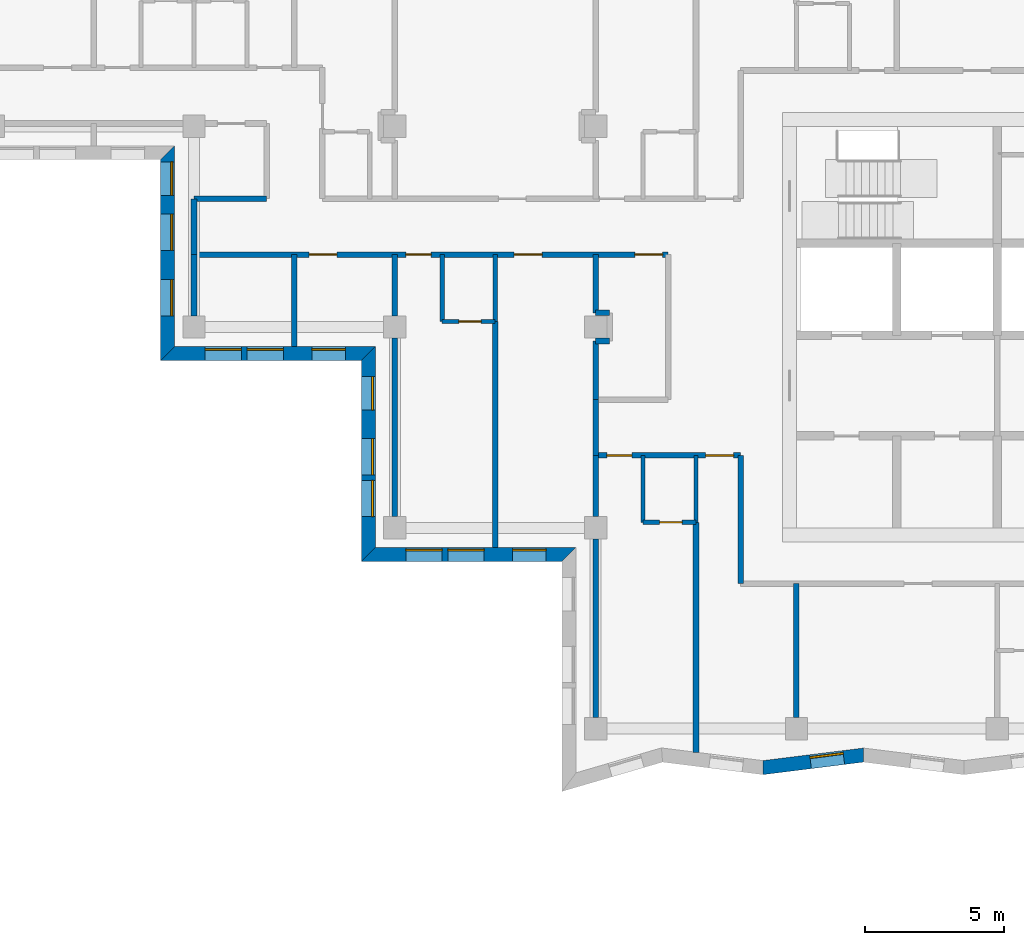
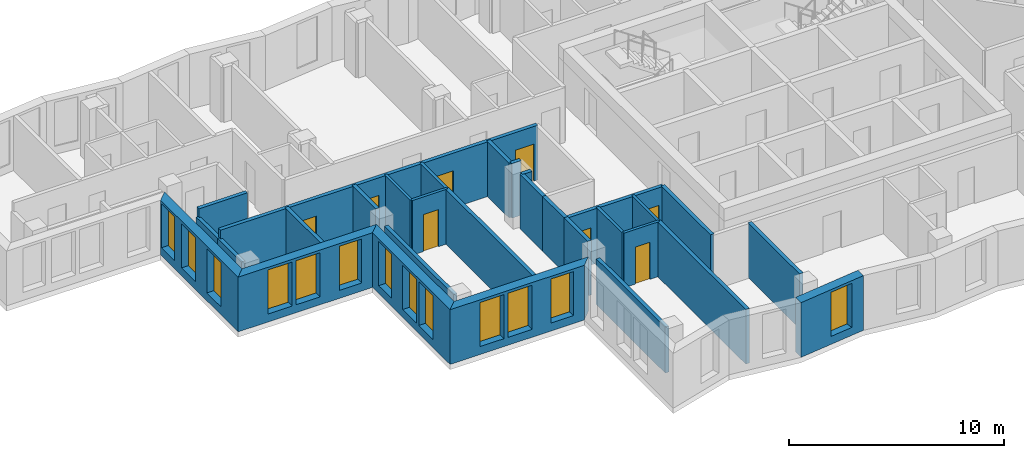
# One storey, part 2 of 12: 30 walls, 13 windows, 8 doors, 21 openings.
"""IFC4 building model written with IfcOpenShell, lengths in metres."""

import ifcopenshell
import ifcopenshell.guid

model = None  # the IFC model being written
_history = None  # IfcOwnerHistory: only IFC2X3 demands one
_inside = {}  # id of a spatial element -> (the spatial element, [elements in it])
_under = {}  # id of a project, library or spatial element -> (it, [spatial elements below it])
_declared = {}  # id of a project -> (the project, [libraries it declares])
_typed = {}  # id of a type object -> (the type object, [elements of that type])
_made_of = {}  # id of a material, layer set ... -> (it, [elements and type objects made of it])


def new_model(schema):
    """Start an empty IFC model of exactly this schema.

    Asked for "IFC4X3", IfcOpenShell would pick the latest addendum, in which some entities
    have other attributes; the version numbers below select the first issue.
    IFC2X3 requires an IfcOwnerHistory on every rooted entity: one is made here for all.
    """
    global model, _history
    if schema == "IFC4X3":
        model = ifcopenshell.file(schema_version=(4, 3, 0, 0))
    else:
        model = ifcopenshell.file(schema=schema)
    _inside.clear()
    _under.clear()
    _declared.clear()
    _typed.clear()
    _made_of.clear()
    _history = None
    if model.schema == "IFC2X3":
        org = make("IfcOrganization", Name="unknown")
        user = make(
            "IfcPersonAndOrganization",
            ThePerson=make("IfcPerson", FamilyName="unknown"),
            TheOrganization=org,
        )
        app = make(
            "IfcApplication",
            ApplicationDeveloper=org,
            Version="unknown",
            ApplicationFullName="unknown",
            ApplicationIdentifier="unknown",
        )
        _history = make(
            "IfcOwnerHistory",
            OwningUser=user,
            OwningApplication=app,
            ChangeAction="ADDED",
            CreationDate=0,
        )
    return model


def make(cls, **values):
    """One entity of the class cls with the attributes given. An attribute that is None is left unset."""
    return model.create_entity(
        cls, **{name: value for name, value in values.items() if value is not None}
    )


def rooted(cls, **values):
    """An entity with a GlobalId (a new one), such as an element, a storey or a relation."""
    return make(cls, GlobalId=ifcopenshell.guid.new(), OwnerHistory=_history, **values)


def si_unit(unit_type, name, prefix=None):
    """IfcSIUnit, for example si_unit("LENGTHUNIT", "METRE", prefix="MILLI")."""
    return make("IfcSIUnit", UnitType=unit_type, Prefix=prefix, Name=name)


def assignment(units):
    """IfcUnitAssignment: the units of a project."""
    return None if units is None else make("IfcUnitAssignment", Units=units)


def point(xyz):
    """IfcCartesianPoint."""
    return None if xyz is None else make("IfcCartesianPoint", Coordinates=xyz)


def direction(xyz):
    """IfcDirection."""
    return None if xyz is None else make("IfcDirection", DirectionRatios=xyz)


def frame(location, z_axis=None, x_axis=None):
    """IfcAxis2Placement3D, a coordinate frame: its origin and axes. An axis left out is left unset."""
    return make(
        "IfcAxis2Placement3D",
        Location=point(location),
        Axis=direction(z_axis),
        RefDirection=direction(x_axis),
    )


def frame_2d(location, x_axis=None):
    """IfcAxis2Placement2D, a coordinate frame in the plane: its origin and x axis."""
    return make(
        "IfcAxis2Placement2D", Location=point(location), RefDirection=direction(x_axis)
    )


def origin():
    """The frame at (0, 0, 0) with its axes left unset."""
    return frame((0.0, 0.0, 0.0))


def place(relative_to, where):
    """IfcLocalPlacement: puts the frame where relative to a parent placement (None: the world)."""
    return make(
        "IfcLocalPlacement", PlacementRelTo=relative_to, RelativePlacement=where
    )


def context(
    kind, dimensions, precision=None, world=None, true_north=None, identifier=None
):
    """IfcGeometricRepresentationContext, for example the 3D "Model" context."""
    return make(
        "IfcGeometricRepresentationContext",
        ContextIdentifier=identifier,
        ContextType=kind,
        CoordinateSpaceDimension=dimensions,
        Precision=precision,
        WorldCoordinateSystem=world,
        TrueNorth=true_north,
    )


def subcontext(parent, identifier, kind, view, scale=None):
    """IfcGeometricRepresentationSubContext, for example "Body" below "Model"."""
    return make(
        "IfcGeometricRepresentationSubContext",
        ContextIdentifier=identifier,
        ContextType=kind,
        ParentContext=parent,
        TargetScale=scale,
        TargetView=view,
    )


def project(units=None, contexts=None):
    """IfcProject with its units and contexts."""
    return rooted(
        "IfcProject",
        Name="project",
        RepresentationContexts=contexts,
        UnitsInContext=assignment(units),
    )


def spatial(cls, under=None, at=None, **own):
    """A site, building, storey or space (cls), placed at a placement, below another one or the project."""
    s = rooted(cls, ObjectPlacement=at, **own)
    if under is not None:
        _under.setdefault(under.id(), (under, []))[1].append(s)
    return s


def polyline(points):
    """IfcPolyline through the points."""
    return make("IfcPolyline", Points=[point(p) for p in points])


def profile(cls, at=None, kind="AREA", **sizes):
    """A parametric profile (cls). Its sizes go by their IFC names, for example OverallWidth=200.0."""
    return make(cls, ProfileType=kind, Position=at, **sizes)


def rectangle(**sizes):
    """IfcRectangleProfileDef."""
    return profile("IfcRectangleProfileDef", **sizes)


def outline(outer, holes=None, kind="AREA"):
    """IfcArbitraryClosedProfileDef: a profile drawn as a closed curve; with holes, ...WithVoids."""
    if holes is None:
        return make("IfcArbitraryClosedProfileDef", ProfileType=kind, OuterCurve=outer)
    return make(
        "IfcArbitraryProfileDefWithVoids",
        ProfileType=kind,
        OuterCurve=outer,
        InnerCurves=holes,
    )


def extrude(swept, where, along, depth):
    """IfcExtrudedAreaSolid: the profile swept, set in the frame where, extruded along a direction by depth."""
    return make(
        "IfcExtrudedAreaSolid",
        SweptArea=swept,
        Position=where,
        ExtrudedDirection=direction(along),
        Depth=depth,
    )


def shape(context_of_items, identifier, shape_type, items):
    """IfcShapeRepresentation: the items that make up one representation, for example the "Body"."""
    return make(
        "IfcShapeRepresentation",
        ContextOfItems=context_of_items,
        RepresentationIdentifier=identifier,
        RepresentationType=shape_type,
        Items=items,
    )


def material(Name=None, Category=None):
    """IfcMaterial."""
    return make("IfcMaterial", Name=Name, Category=Category)


def layer(
    of_material, thickness, ventilated=None, Name=None, Category=None, Priority=None
):
    """IfcMaterialLayer: one layer of a wall or slab, of a material (None: an air gap)."""
    return make(
        "IfcMaterialLayer",
        Material=of_material,
        LayerThickness=thickness,
        IsVentilated=ventilated,
        Name=Name,
        Category=Category,
        Priority=Priority,
    )


def layer_set(layers, Name=None):
    """IfcMaterialLayerSet."""
    return make("IfcMaterialLayerSet", MaterialLayers=layers, LayerSetName=Name)


def made_of(thing, what):
    """Note that an element or type object is made of a material, layer set ...; save() writes the relation."""
    if what is not None:
        _made_of.setdefault(what.id(), (what, []))[1].append(thing)
    return thing


def type_object(cls, material=None, **own):
    """A type object (cls), such as IfcWallType, which elements share."""
    return made_of(rooted(cls, **own), material)


def element(
    cls,
    number,
    at=None,
    inside=None,
    cuts=None,
    type_object=None,
    material=None,
    context=None,
    identifier="Body",
    shape_type=None,
    held_by="IfcProductDefinitionShape",
    body=None,
    shapes=None,
    **own,
):
    """One element of the class cls, such as IfcWall. Its Tag is "e" and its number.

    at: its placement. inside: the storey or other place that contains it. cuts: it is an
    opening in that element (IfcRelVoidsElement). A single representation is given by context,
    identifier, shape_type and body (its items); several are given by shapes. held_by: the class
    of the entity that holds the representations. save() writes the other relations.
    """
    e = rooted(cls, Tag="e%d" % number, ObjectPlacement=at, **own)
    if body is not None:
        shapes = [shape(context, identifier, shape_type, body)]
    if shapes is not None:
        e.Representation = make(held_by, Representations=shapes)
    if inside is not None:
        _inside.setdefault(inside.id(), (inside, []))[1].append(e)
    if cuts is not None:
        rooted(
            "IfcRelVoidsElement", RelatingBuildingElement=cuts, RelatedOpeningElement=e
        )
    if type_object is not None:
        _typed.setdefault(type_object.id(), (type_object, []))[1].append(e)
    return made_of(e, material)


def fill(opening, filler):
    """IfcRelFillsElement: the door or window that sits in an opening."""
    return rooted(
        "IfcRelFillsElement",
        RelatingOpeningElement=opening,
        RelatedBuildingElement=filler,
    )


def aggregate(whole, parts):
    """IfcRelAggregates: a whole, such as a stair, and the parts it consists of."""
    return rooted("IfcRelAggregates", RelatingObject=whole, RelatedObjects=parts)


def save(model, path):
    """Write the relations noted so far, then the file.

    IfcRelAggregates (storeys below a building ...), IfcRelContainedInSpatialStructure (elements
    in a storey), IfcRelDefinesByType, IfcRelAssociatesMaterial and IfcRelDeclares: one each for
    every whole, place, type object, material and project.
    """
    for whole, parts in _under.values():
        aggregate(whole, parts)
    for where, things in _inside.values():
        rooted(
            "IfcRelContainedInSpatialStructure",
            RelatedElements=things,
            RelatingStructure=where,
        )
    for kind, things in _typed.values():
        rooted("IfcRelDefinesByType", RelatedObjects=things, RelatingType=kind)
    for what, things in _made_of.values():
        rooted("IfcRelAssociatesMaterial", RelatedObjects=things, RelatingMaterial=what)
    for by, libraries in _declared.values():
        rooted("IfcRelDeclares", RelatingContext=by, RelatedDefinitions=libraries)
    model.write(path)


model = new_model("IFC4")

# Units and contexts
model_context = context("Model", 3, precision=1e-05, world=origin(), true_north=direction((0.0, 1.0)))
body_context = subcontext(model_context, "Body", "Model", "MODEL_VIEW")
ifc_project = project(units=[si_unit("LENGTHUNIT", "METRE"), si_unit("AREAUNIT", "SQUARE_METRE"), si_unit("VOLUMEUNIT", "CUBIC_METRE"), si_unit("PLANEANGLEUNIT", "RADIAN"), si_unit("MASSUNIT", "GRAM", prefix="KILO")], contexts=[model_context])

# Site, building, storey
site_placement = place(None, origin())
site = spatial("IfcSite", under=ifc_project, at=site_placement, CompositionType="ELEMENT")
building_placement = place(site_placement, origin())
building = spatial("IfcBuilding", under=site, at=building_placement, Name="Windrow Commons", CompositionType="ELEMENT")
storey_placement = place(building_placement, frame((0.0, 0.0, 206.6)))
storey = spatial("IfcBuildingStorey", under=building, at=storey_placement, Name="L56", CompositionType="ELEMENT", Elevation=206.6)

# Wall, openings, windows
ifc_material_1 = material(Name="Brick masonry, red clay brick", Category="masonry")
ifc_layer_1 = layer(ifc_material_1, 0.5)
ifc_layer_set_1 = layer_set([ifc_layer_1], Name="Brick facade wall 500")
wall_type_1 = type_object("IfcWallType", Name="Brick facade wall 500", PredefinedType="SOLIDWALL", material=ifc_layer_set_1)
wall_1_placement = place(storey_placement, frame((35.05, 63.85, 0.0), z_axis=(0.0, 0.0, 1.0), x_axis=(0.0, -1.0, 0.0)))
wall_1 = element("IfcWall", 1, at=wall_1_placement, inside=storey, type_object=wall_type_1, Name="Brick facade wall L56 33", PredefinedType="SOLIDWALL", context=body_context, shape_type="SweptSolid", body=[
    extrude(outline(polyline([(0.25, -0.25), (7.45, -0.25), (6.95, 0.25), (-0.25, 0.25), (0.25, -0.25)])), origin(), (0.0, 0.0, 1.0), 3.1),
])
opening_1_placement = place(wall_1_placement, frame((2.2, 0.0, 0.45)))
opening_1 = element("IfcOpeningElement", 2, at=opening_1_placement, cuts=wall_1, Name="Opening W1Q", PredefinedType="OPENING", context=body_context, shape_type="SweptSolid", body=[
    extrude(rectangle(XDim=1.3, YDim=2.5, at=frame_2d((0.65, 1.25))), frame((0.0, 0.26, 0.0), z_axis=(0.0, -1.0, 0.0), x_axis=(1.0, 0.0, 0.0)), (0.0, 0.0, 1.0), 0.52),
])
opening_2_placement = place(wall_1_placement, frame((4.55, 0.0, 0.45)))
opening_2 = element("IfcOpeningElement", 3, at=opening_2_placement, cuts=wall_1, Name="Opening W1Q", PredefinedType="OPENING", context=body_context, shape_type="SweptSolid", body=[
    extrude(rectangle(XDim=1.3, YDim=2.5, at=frame_2d((0.65, 1.25))), frame((0.0, 0.26, 0.0), z_axis=(0.0, -1.0, 0.0), x_axis=(1.0, 0.0, 0.0)), (0.0, 0.0, 1.0), 0.52),
])
opening_3_placement = place(wall_1_placement, frame((0.325, 0.0, 0.45)))
opening_3 = element("IfcOpeningElement", 4, at=opening_3_placement, cuts=wall_1, Name="Opening W7E", PredefinedType="OPENING", context=body_context, shape_type="SweptSolid", body=[
    extrude(rectangle(XDim=1.2, YDim=2.5, at=frame_2d((0.6, 1.25))), frame((0.0, 0.26, 0.0), z_axis=(0.0, -1.0, 0.0), x_axis=(1.0, 0.0, 0.0)), (0.0, 0.0, 1.0), 0.52),
])
ifc_material_2 = material(Name="Clear float glass in anodised aluminium frame", Category="aluminium")
window_type_1 = type_object("IfcWindowType", Name="Window W1Q pair 1300x2500", PartitioningType="SINGLE_PANEL", PredefinedType="WINDOW", material=ifc_material_2)
window_1_placement = place(opening_1_placement, origin())
window_1 = element("IfcWindow", 5, at=window_1_placement, inside=storey, type_object=window_type_1, Name="Window L56 33.1A", OverallHeight=2.5, OverallWidth=1.3, PartitioningType="SINGLE_PANEL", PredefinedType="WINDOW", context=body_context, shape_type="SweptSolid", body=[
    extrude(rectangle(XDim=1.3, YDim=2.5, at=frame_2d((0.65, 1.25))), frame((0.0, 0.18, 0.0), z_axis=(0.0, -1.0, 0.0), x_axis=(1.0, 0.0, 0.0)), (0.0, 0.0, 1.0), 0.06),
])
fill(opening_1, window_1)
window_2_placement = place(opening_2_placement, origin())
window_2 = element("IfcWindow", 6, at=window_2_placement, inside=storey, type_object=window_type_1, Name="Window L56 33.1B", OverallHeight=2.5, OverallWidth=1.3, PartitioningType="SINGLE_PANEL", PredefinedType="WINDOW", context=body_context, shape_type="SweptSolid", body=[
    extrude(rectangle(XDim=1.3, YDim=2.5, at=frame_2d((0.65, 1.25))), frame((0.0, 0.18, 0.0), z_axis=(0.0, -1.0, 0.0), x_axis=(1.0, 0.0, 0.0)), (0.0, 0.0, 1.0), 0.06),
])
fill(opening_2, window_2)
ifc_material_3 = material(Name="Clear float glass in anodised aluminium frame", Category="aluminium")
window_type_2 = type_object("IfcWindowType", Name="Window W7 notch 1200x2500", PartitioningType="SINGLE_PANEL", PredefinedType="WINDOW", material=ifc_material_3)
window_3_placement = place(opening_3_placement, origin())
window_3 = element("IfcWindow", 7, at=window_3_placement, inside=storey, type_object=window_type_2, Name="Window L56 33.2", OverallHeight=2.5, OverallWidth=1.2, PartitioningType="SINGLE_PANEL", PredefinedType="WINDOW", context=body_context, shape_type="SweptSolid", body=[
    extrude(rectangle(XDim=1.2, YDim=2.5, at=frame_2d((0.6, 1.25))), frame((0.0, 0.18, 0.0), z_axis=(0.0, -1.0, 0.0), x_axis=(1.0, 0.0, 0.0)), (0.0, 0.0, 1.0), 0.06),
])
fill(opening_3, window_3)

wall_2_placement = place(storey_placement, frame((35.05, 56.65, 0.0), z_axis=(0.0, 0.0, 1.0), x_axis=(1.0, 0.0, 0.0)))
wall_2 = element("IfcWall", 8, at=wall_2_placement, inside=storey, type_object=wall_type_1, Name="Brick facade wall L56 34", PredefinedType="SOLIDWALL", context=body_context, shape_type="SweptSolid", body=[
    extrude(outline(polyline([(-0.25, -0.25), (6.95, -0.25), (7.45, 0.25), (0.25, 0.25), (-0.25, -0.25)])), origin(), (0.0, 0.0, 1.0), 3.1),
])
opening_4_placement = place(wall_2_placement, frame((1.35, 0.0, 0.45)))
opening_4 = element("IfcOpeningElement", 9, at=opening_4_placement, cuts=wall_2, Name="Opening W1Q", PredefinedType="OPENING", context=body_context, shape_type="SweptSolid", body=[
    extrude(rectangle(XDim=1.3, YDim=2.5, at=frame_2d((0.65, 1.25))), frame((0.0, 0.26, 0.0), z_axis=(0.0, -1.0, 0.0), x_axis=(1.0, 0.0, 0.0)), (0.0, 0.0, 1.0), 0.52),
])
opening_5_placement = place(wall_2_placement, frame((2.85, 0.0, 0.45)))
opening_5 = element("IfcOpeningElement", 10, at=opening_5_placement, cuts=wall_2, Name="Opening W1Q", PredefinedType="OPENING", context=body_context, shape_type="SweptSolid", body=[
    extrude(rectangle(XDim=1.3, YDim=2.5, at=frame_2d((0.65, 1.25))), frame((0.0, 0.26, 0.0), z_axis=(0.0, -1.0, 0.0), x_axis=(1.0, 0.0, 0.0)), (0.0, 0.0, 1.0), 0.52),
])
opening_6_placement = place(wall_2_placement, frame((5.175, 0.0, 0.45)))
opening_6 = element("IfcOpeningElement", 11, at=opening_6_placement, cuts=wall_2, Name="Opening W7E", PredefinedType="OPENING", context=body_context, shape_type="SweptSolid", body=[
    extrude(rectangle(XDim=1.2, YDim=2.5, at=frame_2d((0.6, 1.25))), frame((0.0, 0.26, 0.0), z_axis=(0.0, -1.0, 0.0), x_axis=(1.0, 0.0, 0.0)), (0.0, 0.0, 1.0), 0.52),
])
window_4_placement = place(opening_4_placement, origin())
window_4 = element("IfcWindow", 12, at=window_4_placement, inside=storey, type_object=window_type_1, Name="Window L56 34.1A", OverallHeight=2.5, OverallWidth=1.3, PartitioningType="SINGLE_PANEL", PredefinedType="WINDOW", context=body_context, shape_type="SweptSolid", body=[
    extrude(rectangle(XDim=1.3, YDim=2.5, at=frame_2d((0.65, 1.25))), frame((0.0, 0.18, 0.0), z_axis=(0.0, -1.0, 0.0), x_axis=(1.0, 0.0, 0.0)), (0.0, 0.0, 1.0), 0.06),
])
fill(opening_4, window_4)
window_5_placement = place(opening_5_placement, origin())
window_5 = element("IfcWindow", 13, at=window_5_placement, inside=storey, type_object=window_type_1, Name="Window L56 34.1B", OverallHeight=2.5, OverallWidth=1.3, PartitioningType="SINGLE_PANEL", PredefinedType="WINDOW", context=body_context, shape_type="SweptSolid", body=[
    extrude(rectangle(XDim=1.3, YDim=2.5, at=frame_2d((0.65, 1.25))), frame((0.0, 0.18, 0.0), z_axis=(0.0, -1.0, 0.0), x_axis=(1.0, 0.0, 0.0)), (0.0, 0.0, 1.0), 0.06),
])
fill(opening_5, window_5)
window_6_placement = place(opening_6_placement, origin())
window_6 = element("IfcWindow", 14, at=window_6_placement, inside=storey, type_object=window_type_2, Name="Window L56 34.2", OverallHeight=2.5, OverallWidth=1.2, PartitioningType="SINGLE_PANEL", PredefinedType="WINDOW", context=body_context, shape_type="SweptSolid", body=[
    extrude(rectangle(XDim=1.2, YDim=2.5, at=frame_2d((0.6, 1.25))), frame((0.0, 0.18, 0.0), z_axis=(0.0, -1.0, 0.0), x_axis=(1.0, 0.0, 0.0)), (0.0, 0.0, 1.0), 0.06),
])
fill(opening_6, window_6)

wall_3_placement = place(storey_placement, frame((42.25, 56.65, 0.0), z_axis=(0.0, 0.0, 1.0), x_axis=(0.0, -1.0, 0.0)))
wall_3 = element("IfcWall", 15, at=wall_3_placement, inside=storey, type_object=wall_type_1, Name="Brick facade wall L56 35", PredefinedType="SOLIDWALL", context=body_context, shape_type="SweptSolid", body=[
    extrude(outline(polyline([(0.25, -0.25), (7.45, -0.25), (6.95, 0.25), (-0.25, 0.25), (0.25, -0.25)])), origin(), (0.0, 0.0, 1.0), 3.1),
])
opening_7_placement = place(wall_3_placement, frame((3.05, 0.0, 0.45)))
opening_7 = element("IfcOpeningElement", 16, at=opening_7_placement, cuts=wall_3, Name="Opening W1Q", PredefinedType="OPENING", context=body_context, shape_type="SweptSolid", body=[
    extrude(rectangle(XDim=1.3, YDim=2.5, at=frame_2d((0.65, 1.25))), frame((0.0, 0.26, 0.0), z_axis=(0.0, -1.0, 0.0), x_axis=(1.0, 0.0, 0.0)), (0.0, 0.0, 1.0), 0.52),
])
opening_8_placement = place(wall_3_placement, frame((4.55, 0.0, 0.45)))
opening_8 = element("IfcOpeningElement", 17, at=opening_8_placement, cuts=wall_3, Name="Opening W1Q", PredefinedType="OPENING", context=body_context, shape_type="SweptSolid", body=[
    extrude(rectangle(XDim=1.3, YDim=2.5, at=frame_2d((0.65, 1.25))), frame((0.0, 0.26, 0.0), z_axis=(0.0, -1.0, 0.0), x_axis=(1.0, 0.0, 0.0)), (0.0, 0.0, 1.0), 0.52),
])
opening_9_placement = place(wall_3_placement, frame((0.825, 0.0, 0.45)))
opening_9 = element("IfcOpeningElement", 18, at=opening_9_placement, cuts=wall_3, Name="Opening W7E", PredefinedType="OPENING", context=body_context, shape_type="SweptSolid", body=[
    extrude(rectangle(XDim=1.2, YDim=2.5, at=frame_2d((0.6, 1.25))), frame((0.0, 0.26, 0.0), z_axis=(0.0, -1.0, 0.0), x_axis=(1.0, 0.0, 0.0)), (0.0, 0.0, 1.0), 0.52),
])
window_7_placement = place(opening_7_placement, origin())
window_7 = element("IfcWindow", 19, at=window_7_placement, inside=storey, type_object=window_type_1, Name="Window L56 35.1A", OverallHeight=2.5, OverallWidth=1.3, PartitioningType="SINGLE_PANEL", PredefinedType="WINDOW", context=body_context, shape_type="SweptSolid", body=[
    extrude(rectangle(XDim=1.3, YDim=2.5, at=frame_2d((0.65, 1.25))), frame((0.0, 0.18, 0.0), z_axis=(0.0, -1.0, 0.0), x_axis=(1.0, 0.0, 0.0)), (0.0, 0.0, 1.0), 0.06),
])
fill(opening_7, window_7)
window_8_placement = place(opening_8_placement, origin())
window_8 = element("IfcWindow", 20, at=window_8_placement, inside=storey, type_object=window_type_1, Name="Window L56 35.1B", OverallHeight=2.5, OverallWidth=1.3, PartitioningType="SINGLE_PANEL", PredefinedType="WINDOW", context=body_context, shape_type="SweptSolid", body=[
    extrude(rectangle(XDim=1.3, YDim=2.5, at=frame_2d((0.65, 1.25))), frame((0.0, 0.18, 0.0), z_axis=(0.0, -1.0, 0.0), x_axis=(1.0, 0.0, 0.0)), (0.0, 0.0, 1.0), 0.06),
])
fill(opening_8, window_8)
window_9_placement = place(opening_9_placement, origin())
window_9 = element("IfcWindow", 21, at=window_9_placement, inside=storey, type_object=window_type_2, Name="Window L56 35.2", OverallHeight=2.5, OverallWidth=1.2, PartitioningType="SINGLE_PANEL", PredefinedType="WINDOW", context=body_context, shape_type="SweptSolid", body=[
    extrude(rectangle(XDim=1.2, YDim=2.5, at=frame_2d((0.6, 1.25))), frame((0.0, 0.18, 0.0), z_axis=(0.0, -1.0, 0.0), x_axis=(1.0, 0.0, 0.0)), (0.0, 0.0, 1.0), 0.06),
])
fill(opening_9, window_9)

wall_4_placement = place(storey_placement, frame((42.25, 49.45, 0.0), z_axis=(0.0, 0.0, 1.0), x_axis=(1.0, 0.0, 0.0)))
wall_4 = element("IfcWall", 22, at=wall_4_placement, inside=storey, type_object=wall_type_1, Name="Brick facade wall L56 36", PredefinedType="SOLIDWALL", context=body_context, shape_type="SweptSolid", body=[
    extrude(outline(polyline([(-0.25, -0.25), (6.95, -0.25), (7.45, 0.25), (0.25, 0.25), (-0.25, -0.25)])), origin(), (0.0, 0.0, 1.0), 3.1),
])
opening_10_placement = place(wall_4_placement, frame((1.35, 0.0, 0.45)))
opening_10 = element("IfcOpeningElement", 23, at=opening_10_placement, cuts=wall_4, Name="Opening W1Q", PredefinedType="OPENING", context=body_context, shape_type="SweptSolid", body=[
    extrude(rectangle(XDim=1.3, YDim=2.5, at=frame_2d((0.65, 1.25))), frame((0.0, 0.26, 0.0), z_axis=(0.0, -1.0, 0.0), x_axis=(1.0, 0.0, 0.0)), (0.0, 0.0, 1.0), 0.52),
])
opening_11_placement = place(wall_4_placement, frame((2.85, 0.0, 0.45)))
opening_11 = element("IfcOpeningElement", 24, at=opening_11_placement, cuts=wall_4, Name="Opening W1Q", PredefinedType="OPENING", context=body_context, shape_type="SweptSolid", body=[
    extrude(rectangle(XDim=1.3, YDim=2.5, at=frame_2d((0.65, 1.25))), frame((0.0, 0.26, 0.0), z_axis=(0.0, -1.0, 0.0), x_axis=(1.0, 0.0, 0.0)), (0.0, 0.0, 1.0), 0.52),
])
opening_12_placement = place(wall_4_placement, frame((5.175, 0.0, 0.45)))
opening_12 = element("IfcOpeningElement", 25, at=opening_12_placement, cuts=wall_4, Name="Opening W7E", PredefinedType="OPENING", context=body_context, shape_type="SweptSolid", body=[
    extrude(rectangle(XDim=1.2, YDim=2.5, at=frame_2d((0.6, 1.25))), frame((0.0, 0.26, 0.0), z_axis=(0.0, -1.0, 0.0), x_axis=(1.0, 0.0, 0.0)), (0.0, 0.0, 1.0), 0.52),
])
window_10_placement = place(opening_10_placement, origin())
window_10 = element("IfcWindow", 26, at=window_10_placement, inside=storey, type_object=window_type_1, Name="Window L56 36.1A", OverallHeight=2.5, OverallWidth=1.3, PartitioningType="SINGLE_PANEL", PredefinedType="WINDOW", context=body_context, shape_type="SweptSolid", body=[
    extrude(rectangle(XDim=1.3, YDim=2.5, at=frame_2d((0.65, 1.25))), frame((0.0, 0.18, 0.0), z_axis=(0.0, -1.0, 0.0), x_axis=(1.0, 0.0, 0.0)), (0.0, 0.0, 1.0), 0.06),
])
fill(opening_10, window_10)
window_11_placement = place(opening_11_placement, origin())
window_11 = element("IfcWindow", 27, at=window_11_placement, inside=storey, type_object=window_type_1, Name="Window L56 36.1B", OverallHeight=2.5, OverallWidth=1.3, PartitioningType="SINGLE_PANEL", PredefinedType="WINDOW", context=body_context, shape_type="SweptSolid", body=[
    extrude(rectangle(XDim=1.3, YDim=2.5, at=frame_2d((0.65, 1.25))), frame((0.0, 0.18, 0.0), z_axis=(0.0, -1.0, 0.0), x_axis=(1.0, 0.0, 0.0)), (0.0, 0.0, 1.0), 0.06),
])
fill(opening_11, window_11)
window_12_placement = place(opening_12_placement, origin())
window_12 = element("IfcWindow", 28, at=window_12_placement, inside=storey, type_object=window_type_2, Name="Window L56 36.2", OverallHeight=2.5, OverallWidth=1.2, PartitioningType="SINGLE_PANEL", PredefinedType="WINDOW", context=body_context, shape_type="SweptSolid", body=[
    extrude(rectangle(XDim=1.2, YDim=2.5, at=frame_2d((0.6, 1.25))), frame((0.0, 0.18, 0.0), z_axis=(0.0, -1.0, 0.0), x_axis=(1.0, 0.0, 0.0)), (0.0, 0.0, 1.0), 0.06),
])
fill(opening_12, window_12)

# Wall, opening, window
wall_5_placement = place(storey_placement, frame((56.4017, 41.801, 0.0), z_axis=(0.0, 0.0, 1.0), x_axis=(0.9922477484, 0.124275524, 0.0)))
wall_5 = element("IfcWall", 29, at=wall_5_placement, inside=storey, type_object=wall_type_1, Name="Brick facade wall L56 40", PredefinedType="SOLIDWALL", context=body_context, shape_type="SweptSolid", body=[
    extrude(outline(polyline([(-0.0313, -0.25), (3.5977, -0.25), (3.6603, 0.25), (0.0313, 0.25), (-0.0313, -0.25)])), origin(), (0.0, 0.0, 1.0), 3.1),
])
opening_13_placement = place(wall_5_placement, frame((1.7183, 0.0, 0.45)))
opening_13 = element("IfcOpeningElement", 30, at=opening_13_placement, cuts=wall_5, Name="Opening W7E", PredefinedType="OPENING", context=body_context, shape_type="SweptSolid", body=[
    extrude(rectangle(XDim=1.2, YDim=2.5, at=frame_2d((0.6, 1.25))), frame((0.0, 0.26, 0.0), z_axis=(0.0, -1.0, 0.0), x_axis=(1.0, 0.0, 0.0)), (0.0, 0.0, 1.0), 0.52),
])
window_13_placement = place(opening_13_placement, origin())
window_13 = element("IfcWindow", 31, at=window_13_placement, inside=storey, type_object=window_type_2, Name="Window L56 40.1", OverallHeight=2.5, OverallWidth=1.2, PartitioningType="SINGLE_PANEL", PredefinedType="WINDOW", context=body_context, shape_type="SweptSolid", body=[
    extrude(rectangle(XDim=1.2, YDim=2.5, at=frame_2d((0.6, 1.25))), frame((0.0, 0.18, 0.0), z_axis=(0.0, -1.0, 0.0), x_axis=(1.0, 0.0, 0.0)), (0.0, 0.0, 1.0), 0.06),
])
fill(opening_13, window_13)

# Wall, openings, doors
ifc_material_4 = material(Name="Blockwork partition", Category="masonry")
ifc_layer_2 = layer(ifc_material_4, 0.2)
ifc_layer_set_2 = layer_set([ifc_layer_2], Name="IW-CORRIDOR-200")
wall_type_2 = type_object("IfcWallType", Name="IW-CORRIDOR-200", PredefinedType="PARTITIONING", material=ifc_layer_set_2)
wall_6_placement = place(storey_placement, frame((36.0, 60.2, 0.0), z_axis=(0.0, 0.0, 1.0), x_axis=(1.0, 0.0, 0.0)))
wall_6 = element("IfcWall", 32, at=wall_6_placement, inside=storey, type_object=wall_type_2, Name="W-L56-W002", PredefinedType="PARTITIONING", context=body_context, shape_type="SweptSolid", body=[
    extrude(rectangle(XDim=17.0, YDim=0.2, at=frame_2d((8.5, 0.0))), origin(), (0.0, 0.0, 1.0), 3.1),
])
opening_14_placement = place(wall_6_placement, frame((4.125, 0.0, 0.0)))
opening_14 = element("IfcOpeningElement", 33, at=opening_14_placement, cuts=wall_6, Name="Opening D310F", PredefinedType="OPENING", context=body_context, shape_type="SweptSolid", body=[
    extrude(rectangle(XDim=1.0, YDim=2.1, at=frame_2d((0.5, 1.05))), frame((0.0, 0.11, 0.0), z_axis=(0.0, -1.0, 0.0), x_axis=(1.0, 0.0, 0.0)), (0.0, 0.0, 1.0), 0.22),
])
opening_15_placement = place(wall_6_placement, frame((7.6, 0.0, 0.0)))
opening_15 = element("IfcOpeningElement", 34, at=opening_15_placement, cuts=wall_6, Name="Opening D109S", PredefinedType="OPENING", context=body_context, shape_type="SweptSolid", body=[
    extrude(rectangle(XDim=0.9, YDim=2.1, at=frame_2d((0.45, 1.05))), frame((0.0, 0.11, 0.0), z_axis=(0.0, -1.0, 0.0), x_axis=(1.0, 0.0, 0.0)), (0.0, 0.0, 1.0), 0.22),
])
opening_16_placement = place(wall_6_placement, frame((11.48, 0.0, 0.0)))
opening_16 = element("IfcOpeningElement", 35, at=opening_16_placement, cuts=wall_6, Name="Opening D310F", PredefinedType="OPENING", context=body_context, shape_type="SweptSolid", body=[
    extrude(rectangle(XDim=1.0, YDim=2.1, at=frame_2d((0.5, 1.05))), frame((0.0, 0.11, 0.0), z_axis=(0.0, -1.0, 0.0), x_axis=(1.0, 0.0, 0.0)), (0.0, 0.0, 1.0), 0.22),
])
opening_17_placement = place(wall_6_placement, frame((15.805, 0.0, 0.0)))
opening_17 = element("IfcOpeningElement", 36, at=opening_17_placement, cuts=wall_6, Name="Opening D410F", PredefinedType="OPENING", context=body_context, shape_type="SweptSolid", body=[
    extrude(rectangle(XDim=1.0, YDim=2.1, at=frame_2d((0.5, 1.05))), frame((0.0, 0.11, 0.0), z_axis=(0.0, -1.0, 0.0), x_axis=(1.0, 0.0, 0.0)), (0.0, 0.0, 1.0), 0.22),
])
ifc_material_5 = material(Name="Timber door leaf", Category="wood")
door_type_1 = type_object("IfcDoorType", Name="DT-AMENITY-1000", OperationType="SINGLE_SWING_LEFT", PredefinedType="DOOR", material=ifc_material_5)
door_1_placement = place(opening_14_placement, origin())
door_1 = element("IfcDoor", 37, at=door_1_placement, inside=storey, type_object=door_type_1, Name="D-L56-D013", OperationType="SINGLE_SWING_RIGHT", OverallHeight=2.1, OverallWidth=1.0, PredefinedType="DOOR", context=body_context, shape_type="SweptSolid", body=[
    extrude(rectangle(XDim=1.0, YDim=2.1, at=frame_2d((0.5, 1.05))), frame((0.0, 0.025, 0.0), z_axis=(0.0, -1.0, 0.0), x_axis=(1.0, 0.0, 0.0)), (0.0, 0.0, 1.0), 0.05),
])
fill(opening_14, door_1)
door_2_placement = place(opening_16_placement, origin())
door_2 = element("IfcDoor", 38, at=door_2_placement, inside=storey, type_object=door_type_1, Name="D-L56-D025", OperationType="SINGLE_SWING_RIGHT", OverallHeight=2.1, OverallWidth=1.0, PredefinedType="DOOR", context=body_context, shape_type="SweptSolid", body=[
    extrude(rectangle(XDim=1.0, YDim=2.1, at=frame_2d((0.5, 1.05))), frame((0.0, 0.025, 0.0), z_axis=(0.0, -1.0, 0.0), x_axis=(1.0, 0.0, 0.0)), (0.0, 0.0, 1.0), 0.05),
])
fill(opening_16, door_2)
ifc_material_6 = material(Name="Timber door leaf", Category="wood")
door_type_2 = type_object("IfcDoorType", Name="DT-BEDROOM-900", OperationType="SINGLE_SWING_LEFT", PredefinedType="DOOR", material=ifc_material_6)
door_3_placement = place(opening_15_placement, origin())
door_3 = element("IfcDoor", 39, at=door_3_placement, inside=storey, type_object=door_type_2, Name="D-L56-D014", OperationType="SINGLE_SWING_LEFT", OverallHeight=2.1, OverallWidth=0.9, PredefinedType="DOOR", context=body_context, shape_type="SweptSolid", body=[
    extrude(rectangle(XDim=0.9, YDim=2.1, at=frame_2d((0.45, 1.05))), frame((0.0, 0.025, 0.0), z_axis=(0.0, -1.0, 0.0), x_axis=(1.0, 0.0, 0.0)), (0.0, 0.0, 1.0), 0.05),
])
fill(opening_15, door_3)
ifc_material_7 = material(Name="Timber door leaf", Category="wood")
door_type_3 = type_object("IfcDoorType", Name="DT-SERVICE-1000", OperationType="SINGLE_SWING_LEFT", PredefinedType="DOOR", material=ifc_material_7)
door_4_placement = place(opening_17_placement, origin())
door_4 = element("IfcDoor", 40, at=door_4_placement, inside=storey, type_object=door_type_3, Name="D-L56-D026", OperationType="SINGLE_SWING_LEFT", OverallHeight=2.1, OverallWidth=1.0, PredefinedType="DOOR", context=body_context, shape_type="SweptSolid", body=[
    extrude(rectangle(XDim=1.0, YDim=2.1, at=frame_2d((0.5, 1.05))), frame((0.0, 0.025, 0.0), z_axis=(0.0, -1.0, 0.0), x_axis=(1.0, 0.0, 0.0)), (0.0, 0.0, 1.0), 0.05),
])
fill(opening_17, door_4)

wall_7_placement = place(storey_placement, frame((50.4, 53.0, 0.0), z_axis=(0.0, 0.0, 1.0), x_axis=(1.0, 0.0, 0.0)))
wall_7 = element("IfcWall", 41, at=wall_7_placement, inside=storey, type_object=wall_type_2, Name="W-L56-W032", PredefinedType="PARTITIONING", context=body_context, shape_type="SweptSolid", body=[
    extrude(rectangle(XDim=5.2, YDim=0.2, at=frame_2d((2.6, 0.0))), origin(), (0.0, 0.0, 1.0), 3.1),
])
opening_18_placement = place(wall_7_placement, frame((0.4, 0.0, 0.0)))
opening_18 = element("IfcOpeningElement", 42, at=opening_18_placement, cuts=wall_7, Name="Opening D109S", PredefinedType="OPENING", context=body_context, shape_type="SweptSolid", body=[
    extrude(rectangle(XDim=0.9, YDim=2.1, at=frame_2d((0.45, 1.05))), frame((0.0, 0.11, 0.0), z_axis=(0.0, -1.0, 0.0), x_axis=(1.0, 0.0, 0.0)), (0.0, 0.0, 1.0), 0.22),
])
opening_19_placement = place(wall_7_placement, frame((3.9455, 0.0, 0.0)))
opening_19 = element("IfcOpeningElement", 43, at=opening_19_placement, cuts=wall_7, Name="Opening D310F", PredefinedType="OPENING", context=body_context, shape_type="SweptSolid", body=[
    extrude(rectangle(XDim=1.0, YDim=2.1, at=frame_2d((0.5, 1.05))), frame((0.0, 0.11, 0.0), z_axis=(0.0, -1.0, 0.0), x_axis=(1.0, 0.0, 0.0)), (0.0, 0.0, 1.0), 0.22),
])
door_5_placement = place(opening_19_placement, origin())
door_5 = element("IfcDoor", 44, at=door_5_placement, inside=storey, type_object=door_type_1, Name="D-L56-D029", OperationType="SINGLE_SWING_RIGHT", OverallHeight=2.1, OverallWidth=1.0, PredefinedType="DOOR", context=body_context, shape_type="SweptSolid", body=[
    extrude(rectangle(XDim=1.0, YDim=2.1, at=frame_2d((0.5, 1.05))), frame((0.0, 0.025, 0.0), z_axis=(0.0, -1.0, 0.0), x_axis=(1.0, 0.0, 0.0)), (0.0, 0.0, 1.0), 0.05),
])
fill(opening_19, door_5)
door_6_placement = place(opening_18_placement, origin())
door_6 = element("IfcDoor", 45, at=door_6_placement, inside=storey, type_object=door_type_2, Name="D-L56-D027", OperationType="SINGLE_SWING_LEFT", OverallHeight=2.1, OverallWidth=0.9, PredefinedType="DOOR", context=body_context, shape_type="SweptSolid", body=[
    extrude(rectangle(XDim=0.9, YDim=2.1, at=frame_2d((0.45, 1.05))), frame((0.0, 0.025, 0.0), z_axis=(0.0, -1.0, 0.0), x_axis=(1.0, 0.0, 0.0)), (0.0, 0.0, 1.0), 0.05),
])
fill(opening_18, door_6)

# Walls
wall_8_placement = place(storey_placement, frame((55.6, 48.4, 0.0), z_axis=(0.0, 0.0, 1.0), x_axis=(0.0, 1.0, 0.0)))
element("IfcWall", 46, at=wall_8_placement, inside=storey, type_object=wall_type_2, Name="W-L56-W040", PredefinedType="PARTITIONING", context=body_context, shape_type="SweptSolid", body=[
    extrude(rectangle(XDim=4.6, YDim=0.2, at=frame_2d((2.3, 0.0))), origin(), (0.0, 0.0, 1.0), 3.1),
])
wall_9_placement = place(storey_placement, frame((36.002, 62.2, 0.0), z_axis=(0.0, 0.0, 1.0), x_axis=(1.0, 0.0, 0.0)))
element("IfcWall", 47, at=wall_9_placement, inside=storey, type_object=wall_type_2, Name="W-L56-W056", PredefinedType="PARTITIONING", context=body_context, shape_type="SweptSolid", body=[
    extrude(rectangle(XDim=2.598, YDim=0.2, at=frame_2d((1.299, 0.0))), origin(), (0.0, 0.0, 1.0), 3.1),
])
wall_10_placement = place(storey_placement, frame((36.0, 60.2, 0.0), z_axis=(0.0, 0.0, 1.0), x_axis=(0.0, 1.0, 0.0)))
element("IfcWall", 48, at=wall_10_placement, inside=storey, type_object=wall_type_2, Name="W-L56-W100", PredefinedType="PARTITIONING", context=body_context, shape_type="SweptSolid", body=[
    extrude(rectangle(XDim=2.0, YDim=0.2, at=frame_2d((1.0, 0.0))), origin(), (0.0, 0.0, 1.0), 2.6),
])
wall_11_placement = place(storey_placement, frame((50.4, 53.0, 0.0), z_axis=(0.0, 0.0, 1.0), x_axis=(0.0, 1.0, 0.0)))
element("IfcWall", 49, at=wall_11_placement, inside=storey, type_object=wall_type_2, Name="W-L56-W101", PredefinedType="PARTITIONING", context=body_context, shape_type="SweptSolid", body=[
    extrude(rectangle(XDim=2.0, YDim=0.2, at=frame_2d((1.0, 0.0))), origin(), (0.0, 0.0, 1.0), 3.1),
])
ifc_material_8 = material(Name="Blockwork partition", Category="masonry")
ifc_layer_3 = layer(ifc_material_8, 0.15)
ifc_layer_set_3 = layer_set([ifc_layer_3], Name="IW-ENSUITE-150")
wall_type_3 = type_object("IfcWallType", Name="IW-ENSUITE-150", PredefinedType="PARTITIONING", material=ifc_layer_set_3)
for number, where, z_axis, x_axis, name in (
    (50, (44.9, 57.8, 0.0), (0.0, 0.0, 1.0), (0.0, 1.0, 0.0), "W-L56-W061"),
    (51, (46.8, 57.8, 0.0), (0.0, 0.0, 1.0), (0.0, 1.0, 0.0), "W-L56-W062"),
    (52, (52.1, 50.6, 0.0), (0.0, 0.0, 1.0), (0.0, 1.0, 0.0), "W-L56-W067"),
    (53, (54.0, 50.6, 0.0), (0.0, 0.0, 1.0), (0.0, 1.0, 0.0), "W-L56-W068"),
):
    element("IfcWall", number, at=place(storey_placement, frame(where, z_axis=z_axis, x_axis=x_axis)), inside=storey, type_object=wall_type_3, Name=name, PredefinedType="PARTITIONING", context=body_context, shape_type="SweptSolid", body=[
        extrude(rectangle(XDim=2.4, YDim=0.15, at=frame_2d((1.2, 0.0))), origin(), (0.0, 0.0, 1.0), 3.1),
    ])

# Wall, opening, door
wall_12_placement = place(storey_placement, frame((44.9, 57.8, 0.0), z_axis=(0.0, 0.0, 1.0), x_axis=(1.0, 0.0, 0.0)))
wall_12 = element("IfcWall", 54, at=wall_12_placement, inside=storey, type_object=wall_type_3, Name="W-L56-W111", PredefinedType="PARTITIONING", context=body_context, shape_type="SweptSolid", body=[
    extrude(rectangle(XDim=1.9, YDim=0.15, at=frame_2d((0.95, 0.0))), origin(), (0.0, 0.0, 1.0), 3.1),
])
opening_20_placement = place(wall_12_placement, frame((0.5979, 0.0, 0.0)))
opening_20 = element("IfcOpeningElement", 55, at=opening_20_placement, cuts=wall_12, Name="Opening D208N", PredefinedType="OPENING", context=body_context, shape_type="SweptSolid", body=[
    extrude(rectangle(XDim=0.8, YDim=2.1, at=frame_2d((0.4, 1.05))), frame((0.0, 0.085, 0.0), z_axis=(0.0, -1.0, 0.0), x_axis=(1.0, 0.0, 0.0)), (0.0, 0.0, 1.0), 0.17),
])
ifc_material_9 = material(Name="Timber door leaf", Category="wood")
door_type_4 = type_object("IfcDoorType", Name="DT-ENSUITE-800", OperationType="SINGLE_SWING_LEFT", PredefinedType="DOOR", material=ifc_material_9)
door_7_placement = place(opening_20_placement, origin())
door_7 = element("IfcDoor", 56, at=door_7_placement, inside=storey, type_object=door_type_4, Name="D-L56-D015", OperationType="SINGLE_SWING_RIGHT", OverallHeight=2.1, OverallWidth=0.8, PredefinedType="DOOR", context=body_context, shape_type="SweptSolid", body=[
    extrude(rectangle(XDim=0.8, YDim=2.1, at=frame_2d((0.4, 1.05))), frame((0.0, 0.025, 0.0), z_axis=(0.0, -1.0, 0.0), x_axis=(1.0, 0.0, 0.0)), (0.0, 0.0, 1.0), 0.05),
])
fill(opening_20, door_7)

wall_13_placement = place(storey_placement, frame((52.1, 50.6, 0.0), z_axis=(0.0, 0.0, 1.0), x_axis=(1.0, 0.0, 0.0)))
wall_13 = element("IfcWall", 57, at=wall_13_placement, inside=storey, type_object=wall_type_3, Name="W-L56-W112", PredefinedType="PARTITIONING", context=body_context, shape_type="SweptSolid", body=[
    extrude(rectangle(XDim=1.9, YDim=0.15, at=frame_2d((0.95, 0.0))), origin(), (0.0, 0.0, 1.0), 3.1),
])
opening_21_placement = place(wall_13_placement, frame((0.5979, 0.0, 0.0)))
opening_21 = element("IfcOpeningElement", 58, at=opening_21_placement, cuts=wall_13, Name="Opening D208N", PredefinedType="OPENING", context=body_context, shape_type="SweptSolid", body=[
    extrude(rectangle(XDim=0.8, YDim=2.1, at=frame_2d((0.4, 1.05))), frame((0.0, 0.085, 0.0), z_axis=(0.0, -1.0, 0.0), x_axis=(1.0, 0.0, 0.0)), (0.0, 0.0, 1.0), 0.17),
])
door_8_placement = place(opening_21_placement, origin())
door_8 = element("IfcDoor", 59, at=door_8_placement, inside=storey, type_object=door_type_4, Name="D-L56-D028", OperationType="SINGLE_SWING_RIGHT", OverallHeight=2.1, OverallWidth=0.8, PredefinedType="DOOR", context=body_context, shape_type="SweptSolid", body=[
    extrude(rectangle(XDim=0.8, YDim=2.1, at=frame_2d((0.4, 1.05))), frame((0.0, 0.025, 0.0), z_axis=(0.0, -1.0, 0.0), x_axis=(1.0, 0.0, 0.0)), (0.0, 0.0, 1.0), 0.05),
])
fill(opening_21, door_8)

# Walls
ifc_material_10 = material(Name="Blockwork partition", Category="masonry")
ifc_layer_4 = layer(ifc_material_10, 0.2)
ifc_layer_set_4 = layer_set([ifc_layer_4], Name="IW-PARTY-200")
wall_type_4 = type_object("IfcWallType", Name="IW-PARTY-200", PredefinedType="PARTITIONING", material=ifc_layer_set_4)
wall_14_placement = place(storey_placement, frame((54.0, 42.3537, 0.0), z_axis=(0.0, 0.0, 1.0), x_axis=(0.0, 1.0, 0.0)))
element("IfcWall", 60, at=wall_14_placement, inside=storey, type_object=wall_type_4, Name="W-L56-W011", PredefinedType="PARTITIONING", context=body_context, shape_type="SweptSolid", body=[
    extrude(rectangle(XDim=8.2463, YDim=0.2, at=frame_2d((4.1231, 0.0))), origin(), (0.0, 0.0, 1.0), 3.1),
])
wall_15_placement = place(storey_placement, frame((46.8, 49.7, 0.0), z_axis=(0.0, 0.0, 1.0), x_axis=(0.0, 1.0, 0.0)))
element("IfcWall", 61, at=wall_15_placement, inside=storey, type_object=wall_type_4, Name="W-L56-W014", PredefinedType="PARTITIONING", context=body_context, shape_type="SweptSolid", body=[
    extrude(rectangle(XDim=8.1, YDim=0.2, at=frame_2d((4.05, 0.0))), origin(), (0.0, 0.0, 1.0), 3.1),
])
for number, where, z_axis, x_axis, name in (
    (62, (43.2, 50.8, 0.0), (0.0, 0.0, 1.0), (0.0, 1.0, 0.0), "W-L56-W016"),
    (63, (50.4, 43.6, 0.0), (0.0, 0.0, 1.0), (0.0, 1.0, 0.0), "W-L56-W018"),
):
    element("IfcWall", number, at=place(storey_placement, frame(where, z_axis=z_axis, x_axis=x_axis)), inside=storey, type_object=wall_type_4, Name=name, PredefinedType="PARTITIONING", context=body_context, shape_type="SweptSolid", body=[
        extrude(rectangle(XDim=6.4, YDim=0.2, at=frame_2d((3.2, 0.0))), origin(), (0.0, 0.0, 1.0), 2.6),
    ])
wall_16_placement = place(storey_placement, frame((57.6, 43.6, 0.0), z_axis=(0.0, 0.0, 1.0), x_axis=(0.0, 1.0, 0.0)))
element("IfcWall", 64, at=wall_16_placement, inside=storey, type_object=wall_type_4, Name="W-L56-W036", PredefinedType="PARTITIONING", context=body_context, shape_type="SweptSolid", body=[
    extrude(rectangle(XDim=4.8, YDim=0.2, at=frame_2d((2.4, 0.0))), origin(), (0.0, 0.0, 1.0), 3.1),
])
wall_17_placement = place(storey_placement, frame((39.6, 56.9, 0.0), z_axis=(0.0, 0.0, 1.0), x_axis=(0.0, 1.0, 0.0)))
element("IfcWall", 65, at=wall_17_placement, inside=storey, type_object=wall_type_4, Name="W-L56-W049", PredefinedType="PARTITIONING", context=body_context, shape_type="SweptSolid", body=[
    extrude(rectangle(XDim=3.3, YDim=0.2, at=frame_2d((1.65, 0.0))), origin(), (0.0, 0.0, 1.0), 3.1),
])
wall_18_placement = place(storey_placement, frame((36.0, 58.0, 0.0), z_axis=(0.0, 0.0, 1.0), x_axis=(0.0, 1.0, 0.0)))
element("IfcWall", 66, at=wall_18_placement, inside=storey, type_object=wall_type_4, Name="W-L56-W088", PredefinedType="PARTITIONING", context=body_context, shape_type="SweptSolid", body=[
    extrude(rectangle(XDim=2.2, YDim=0.2, at=frame_2d((1.1, 0.0))), origin(), (0.0, 0.0, 1.0), 2.6),
])
for number, where, z_axis, x_axis, name in (
    (67, (43.2, 58.0, 0.0), (0.0, 0.0, 1.0), (0.0, 1.0, 0.0), "W-L56-W089"),
    (68, (50.4, 50.8, 0.0), (0.0, 0.0, 1.0), (0.0, 1.0, 0.0), "W-L56-W090"),
):
    element("IfcWall", number, at=place(storey_placement, frame(where, z_axis=z_axis, x_axis=x_axis)), inside=storey, type_object=wall_type_4, Name=name, PredefinedType="PARTITIONING", context=body_context, shape_type="SweptSolid", body=[
        extrude(rectangle(XDim=2.2, YDim=0.2, at=frame_2d((1.1, 0.0))), origin(), (0.0, 0.0, 1.0), 3.1),
    ])
wall_19_placement = place(storey_placement, frame((50.4, 55.0, 0.0), z_axis=(0.0, 0.0, 1.0), x_axis=(0.0, 1.0, 0.0)))
element("IfcWall", 69, at=wall_19_placement, inside=storey, type_object=wall_type_4, Name="W-L56-W095", PredefinedType="PARTITIONING", context=body_context, shape_type="SweptSolid", body=[
    extrude(rectangle(XDim=2.096, YDim=0.2, at=frame_2d((1.048, 0.0))), origin(), (0.0, 0.0, 1.0), 3.1),
])
wall_20_placement = place(storey_placement, frame((50.4, 58.106, 0.0), z_axis=(0.0, 0.0, 1.0), x_axis=(0.0, 1.0, 0.0)))
element("IfcWall", 70, at=wall_20_placement, inside=storey, type_object=wall_type_4, Name="W-L56-W096", PredefinedType="PARTITIONING", context=body_context, shape_type="SweptSolid", body=[
    extrude(rectangle(XDim=2.094, YDim=0.2, at=frame_2d((1.047, 0.0))), origin(), (0.0, 0.0, 1.0), 3.1),
])
for number, where, z_axis, x_axis, name in (
    (71, (50.4, 58.11, 0.0), (0.0, 0.0, 1.0), (1.0, 0.0, 0.0), "W-L56-W152"),
    (72, (50.4, 57.1, 0.0), (0.0, 0.0, 1.0), (1.0, 0.0, 0.0), "W-L56-W153"),
):
    element("IfcWall", number, at=place(storey_placement, frame(where, z_axis=z_axis, x_axis=x_axis)), inside=storey, type_object=wall_type_4, Name=name, PredefinedType="PARTITIONING", context=body_context, shape_type="SweptSolid", body=[
        extrude(rectangle(XDim=0.5, YDim=0.2, at=frame_2d((0.25, 0.0))), origin(), (0.0, 0.0, 1.0), 3.1),
    ])

save(model, "model.ifc")
